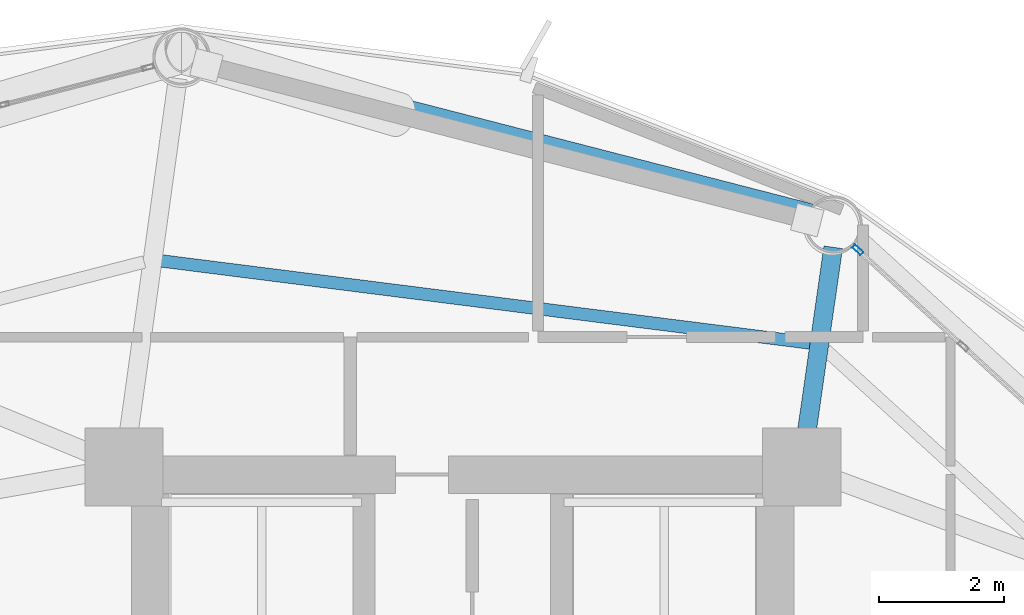
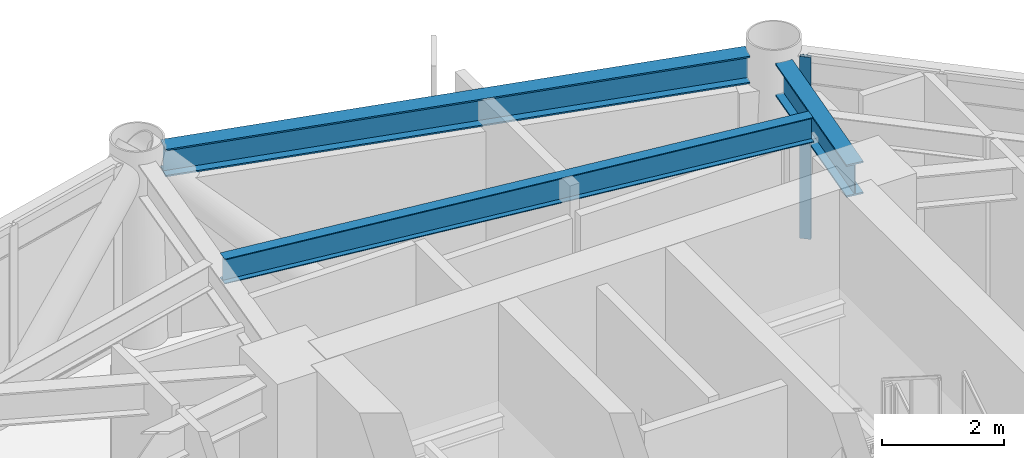
# One storey, part 19 of 26: 3 beams, 1 member, 1 element without a shape of its own.
"""IFC4 building model written with IfcOpenShell, lengths in metres."""

from ifc_helpers import new_model, si_unit, direction, frame, origin, origin_2d, place, context, subcontext, project, spatial, hollow_rectangle, i_section, extrude, material, layer, layer_set, material_profile, profile_set, type_object, element, aggregate, save


model = new_model("IFC4")

# Units and contexts
model_context = context("Model", 3, precision=1e-05, world=origin(), true_north=direction((0.0, 1.0)))
body_context = subcontext(model_context, "Body", "Model", "MODEL_VIEW")
ifc_project = project(units=[si_unit("LENGTHUNIT", "METRE"), si_unit("AREAUNIT", "SQUARE_METRE"), si_unit("VOLUMEUNIT", "CUBIC_METRE"), si_unit("PLANEANGLEUNIT", "RADIAN"), si_unit("MASSUNIT", "GRAM", prefix="KILO")], contexts=[model_context])

# Site, building, storey
site_placement = place(None, origin())
site = spatial("IfcSite", under=ifc_project, at=site_placement, CompositionType="ELEMENT")
building_placement = place(site_placement, origin())
building = spatial("IfcBuilding", under=site, at=building_placement, Name="Varnakorn Sky Granary", CompositionType="ELEMENT")
storey_placement = place(building_placement, frame((0.0, 0.0, 47.10009765625)))
storey = spatial("IfcBuildingStorey", under=building, at=storey_placement, Name="L11", CompositionType="ELEMENT", Elevation=47.10009765625)

# Beams
ifc_material_1 = material(Name="Steel S355JR", Category="steel")
ifc_material_profile_1 = material_profile(ifc_material_1, i_section(OverallWidth=0.300048828125, OverallDepth=0.64990234375, WebThickness=0.01611328125, FlangeThickness=0.031005859375, at=origin_2d()), Name="HE 650 B")
ifc_profile_set_1 = profile_set([ifc_material_profile_1], Name="Steel S355JR")
beam_type_1 = type_object("IfcBeamType", Name="BM-RAD-Z1", PredefinedType="BEAM", material=ifc_profile_set_1)
beam_1_placement = place(storey_placement, frame((8.4794921875, 13.035888671875, 3.31494140625), z_axis=(0.141857828116, 0.989887042345, 0.0), x_axis=(-0.989887042345, 0.141857828116, 0.0)))
element("IfcBeam", 1, at=beam_1_placement, inside=storey, type_object=beam_type_1, Name="Radial Floor Girder RG03 L11", PredefinedType="BEAM", context=body_context, shape_type="SweptSolid", body=[
    extrude(i_section(OverallWidth=0.300048828125, OverallDepth=0.64990234375, WebThickness=0.01611328125, FlangeThickness=0.031005859375, at=origin_2d()), origin(), (0.0, 0.0, 1.0), 3.13232421875),
])
ifc_material_profile_2 = material_profile(ifc_material_1, i_section(OverallWidth=0.199951171875, OverallDepth=0.5, WebThickness=0.01025390625, FlangeThickness=0.01611328125, at=origin_2d()), Name="IPE 500")
ifc_profile_set_2 = profile_set([ifc_material_profile_2], Name="Steel S355JR")
beam_type_2 = type_object("IfcBeamType", Name="BM-SEC-Z1", PredefinedType="BEAM", material=ifc_profile_set_2)
beam_2_placement = place(storey_placement, frame((8.562744140625, 14.603759765625, 3.389892578125), z_axis=(-0.992087996022, 0.125544446908, 0.0), x_axis=(-0.125544446908, -0.992087996022, 0.0)))
element("IfcBeam", 2, at=beam_2_placement, inside=storey, type_object=beam_type_2, Name="Secondary Floor Chord Beam MSB03 L11", PredefinedType="BEAM", context=body_context, shape_type="SweptSolid", body=[
    extrude(i_section(OverallWidth=0.199951171875, OverallDepth=0.5, WebThickness=0.01025390625, FlangeThickness=0.01611328125, at=origin_2d()), origin(), (0.0, 0.0, 1.0), 10.468017578125),
])
ifc_material_profile_3 = material_profile(ifc_material_1, i_section(OverallWidth=0.300048828125, OverallDepth=0.550048828125, WebThickness=0.014892578125, FlangeThickness=0.029052734375, at=origin_2d()), Name="HE 550 B")
ifc_profile_set_3 = profile_set([ifc_material_profile_3], Name="Steel S355JR")
beam_type_3 = type_object("IfcBeamType", Name="BM-SPD-Z1", PredefinedType="SPANDREL", material=ifc_profile_set_3)
beam_3_placement = place(storey_placement, frame((8.55859375, 16.68408203125, 3.364990234375), z_axis=(-0.968436739223, 0.249259467471, 0.0), x_axis=(-0.249259467471, -0.968436739223, 0.0)))
element("IfcBeam", 3, at=beam_3_placement, inside=storey, type_object=beam_type_3, Name="Perimeter Spandrel Ring Beam RB03 L11", PredefinedType="SPANDREL", context=body_context, shape_type="SweptSolid", body=[
    extrude(i_section(OverallWidth=0.300048828125, OverallDepth=0.550048828125, WebThickness=0.014892578125, FlangeThickness=0.029052734375, at=origin_2d()), origin(), (0.0, 0.0, 1.0), 9.944580078125),
])

# Curtain wall, member
ifc_material_2 = material(Name="Anodised Bronze Aluminium Alloy 6063-T6", Category="aluminium")
ifc_layer = layer(ifc_material_2, 0.18994140625, Name="Anodised Bronze Aluminium Alloy 6063-T6")
ifc_layer_set = layer_set([ifc_layer], Name="Anodised Bronze Aluminium Alloy 6063-T6")
curtain_wall_type = type_object("IfcCurtainWallType", Name="CW-FRM-1", PredefinedType="USERDEFINED", material=ifc_layer_set)
curtain_wall_placement = place(storey_placement, origin())
curtain_wall = element("IfcCurtainWall", 4, at=curtain_wall_placement, inside=storey, type_object=curtain_wall_type, Name="Unitised Curtain Wall CW3 CW-L11-B02", ObjectType="CURTAIN WALL", PredefinedType="USERDEFINED")
ifc_material_profile_4 = material_profile(ifc_material_2, hollow_rectangle(XDim=0.070068359375, YDim=0.18505859375, WallThickness=0.00390625, at=origin_2d()), Name="ALU MULL 70x185")
ifc_profile_set_4 = profile_set([ifc_material_profile_4], Name="Anodised Bronze Aluminium Alloy 6063-T6")
member_type = type_object("IfcMemberType", Name="CW-FRM-1-MULL", PredefinedType="MULLION", material=ifc_profile_set_4)
member_placement = place(storey_placement, frame((9.31494140625, 16.09521484375, 0.0), z_axis=(0.0, 0.0, 1.0), x_axis=(0.674464438954, 0.738307334777, 0.0)))
member = element("IfcMember", 5, at=member_placement, type_object=member_type, Name="CW3 mullion 1", PredefinedType="MULLION", context=body_context, shape_type="SweptSolid", body=[
    extrude(hollow_rectangle(XDim=0.070068359375, YDim=0.18505859375, WallThickness=0.00390625, at=origin_2d()), origin(), (0.0, 0.0, 1.0), 3.639892578125),
])
aggregate(curtain_wall, [member])

save(model, "model.ifc")
